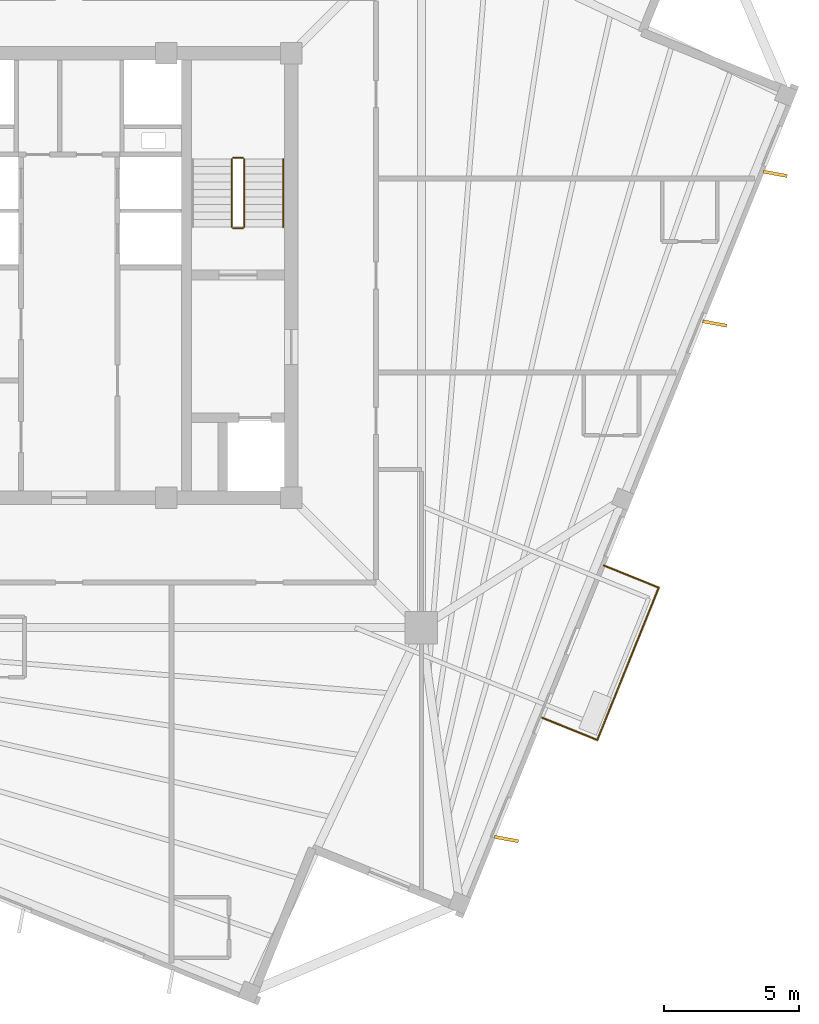
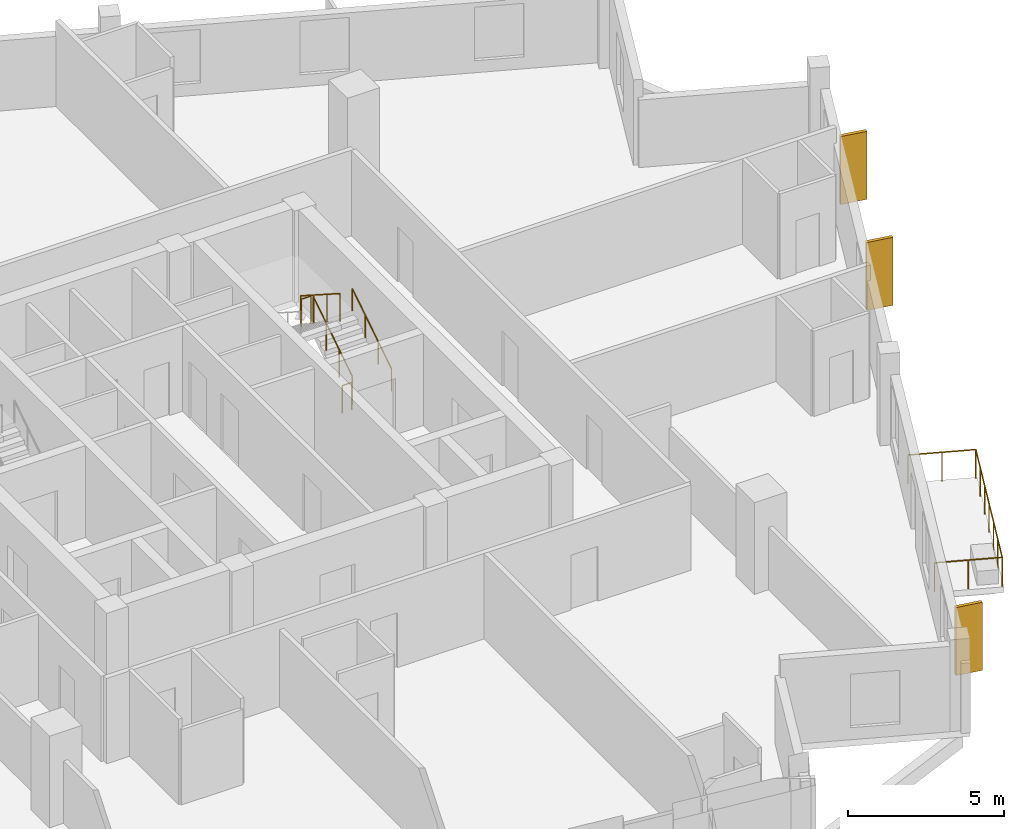
# One storey, part 8 of 9: 8 railings, 3 coverings.
"""IFC4 building model written with IfcOpenShell, lengths in metres."""

from ifc_helpers import new_model, si_unit, direction, frame, origin, origin_2d, place, context, subcontext, project, spatial, rectangle, circle, extrude, source, transform, mapped, material, layer, layer_set, type_object, element, save


model = new_model("IFC4")

# Units and contexts
model_context = context("Model", 3, precision=1e-05, world=origin(), true_north=direction((0.0, 1.0)))
body_context = subcontext(model_context, "Body", "Model", "MODEL_VIEW")
ifc_project = project(units=[si_unit("LENGTHUNIT", "METRE"), si_unit("AREAUNIT", "SQUARE_METRE"), si_unit("VOLUMEUNIT", "CUBIC_METRE"), si_unit("PLANEANGLEUNIT", "RADIAN"), si_unit("MASSUNIT", "GRAM", prefix="KILO"), si_unit("THERMODYNAMICTEMPERATUREUNIT", "KELVIN")], contexts=[model_context])

# Site, building, storey
site_placement = place(None, origin())
site = spatial("IfcSite", under=ifc_project, at=site_placement, CompositionType="ELEMENT")
building_placement = place(site_placement, origin())
building = spatial("IfcBuilding", under=site, at=building_placement, Name="Kosmvard Interchange Tower", CompositionType="ELEMENT")
storey_placement = place(building_placement, frame((0.0, 0.0, 272.39990234375)))
storey = spatial("IfcBuildingStorey", under=building, at=storey_placement, Name="L66", CompositionType="ELEMENT", Elevation=272.39990234375)

# Railing
ifc_material_1 = material(Name="Steel S355", Category="steel")
railing_type_1 = type_object("IfcRailingType", Name="Observation & Balcony Glass-Infill Balustrade 1150", PredefinedType="BALUSTRADE", material=ifc_material_1)
shared_shape_1 = source(origin(), body_context, "Body", "SweptSolid", [
    extrude(circle(Radius=0.02392578125, at=origin_2d()), frame((0.0, 0.0, 1.1259765625), z_axis=(0.927208487558, -0.374545618852, 0.0), x_axis=(0.374545618852, 0.927208487558, 0.0)), (0.0, 0.0, 1.0), 2.199951171875),
    extrude(circle(Radius=0.02099609375, at=origin_2d()), origin(), (0.0, 0.0, 1.0), 1.101806640625),
    extrude(circle(Radius=0.02099609375, at=origin_2d()), frame((1.02001953125, -0.412109375, 0.0)), (0.0, 0.0, 1.0), 1.101806640625),
    extrude(circle(Radius=0.02099609375, at=origin_2d()), frame((2.039794921875, -0.823974609375, 0.0)), (0.0, 0.0, 1.0), 1.101806640625),
])
railing_1_placement = place(storey_placement, frame((17.574951171875, -16.43017578125, 0.0)))
element("IfcRailing", 1, at=railing_1_placement, inside=storey, type_object=railing_type_1, Name="L66 Outdoor Terrace Guard BAL-L66-S-A", PredefinedType="BALUSTRADE", context=body_context, shape_type="MappedRepresentation", body=[
    mapped(shared_shape_1, transform((0.0, 0.0, 0.0), scale=1.0)),
])

# Coverings
ifc_material_2 = material(Name="Architectural anodised aluminium", Category="aluminium")
ifc_layer = layer(ifc_material_2, 0.1201171875, Name="Architectural anodised aluminium")
ifc_layer_set = layer_set([ifc_layer], Name="Architectural anodised aluminium")
covering_type = type_object("IfcCoveringType", Name="Rotating Vertical Sun-Breaker Fin 900x120 Aluminium", PredefinedType="CLADDING", material=ifc_layer_set)
shared_shape_2 = source(origin(), body_context, "Body", "SweptSolid", [
    extrude(rectangle(XDim=0.89990234375, YDim=0.1201171875, at=origin_2d()), origin(), (0.0, 0.0, 1.0), 2.669921875),
])
for number, where, z_axis, x_axis, name in (
    (2, (16.2412109375, -20.932373046875, 0.0400390625), (0.0, 0.0, 1.0), (0.983223086489, -0.182407133071, 0.0), "L66 Rotating Vertical Sun-Breaker Fin 01"),
    (3, (23.977783203125, -1.783935546875, 0.0400390625), (0.0, 0.0, 1.0), (0.983223086489, -0.182407133071, 0.0), "L66 Rotating Vertical Sun-Breaker Fin 02"),
    (4, (26.223876953125, 3.775390625, 0.0400390625), (0.0, 0.0, 1.0), (0.983223086489, -0.182407133071, 0.0), "L66 Rotating Vertical Sun-Breaker Fin 03"),
):
    element("IfcCovering", number, at=place(storey_placement, frame(where, z_axis=z_axis, x_axis=x_axis)), inside=storey, type_object=covering_type, Name=name, PredefinedType="CLADDING", context=body_context, shape_type="MappedRepresentation", body=[
        mapped(shared_shape_2, transform((0.0, 0.0, 0.0), scale=1.0)),
    ])

# Railings
shared_shape_3 = source(origin(), body_context, "Body", "SweptSolid", [
    extrude(circle(Radius=0.02392578125, at=origin_2d()), frame((0.0, 0.0, 1.1259765625), z_axis=(0.374617894384, 0.927179288599, 0.0), x_axis=(-0.927179288599, 0.374617894384, 0.0)), (0.0, 0.0, 1.0), 6.099853515625),
    extrude(circle(Radius=0.02099609375, at=origin_2d()), origin(), (0.0, 0.0, 1.0), 1.101806640625),
    extrude(circle(Radius=0.02099609375, at=origin_2d()), frame((0.380859375, 0.942626953125, 0.0)), (0.0, 0.0, 1.0), 1.101806640625),
    extrude(circle(Radius=0.02099609375, at=origin_2d()), frame((0.76171875, 1.88525390625, 0.0)), (0.0, 0.0, 1.0), 1.101806640625),
    extrude(circle(Radius=0.02099609375, at=origin_2d()), frame((1.142578125, 2.827880859375, 0.0)), (0.0, 0.0, 1.0), 1.101806640625),
    extrude(circle(Radius=0.02099609375, at=origin_2d()), frame((1.5234375, 3.7705078125, 0.0)), (0.0, 0.0, 1.0), 1.101806640625),
    extrude(circle(Radius=0.02099609375, at=origin_2d()), frame((1.904296875, 4.713134765625, 0.0)), (0.0, 0.0, 1.0), 1.101806640625),
    extrude(circle(Radius=0.02099609375, at=origin_2d()), frame((2.28515625, 5.65576171875, 0.0)), (0.0, 0.0, 1.0), 1.101806640625),
])
railing_2_placement = place(storey_placement, frame((19.61474609375, -17.254150390625, 0.0)))
element("IfcRailing", 5, at=railing_2_placement, inside=storey, type_object=railing_type_1, Name="L66 Outdoor Terrace Guard BAL-L66-S-B", PredefinedType="BALUSTRADE", context=body_context, shape_type="MappedRepresentation", body=[
    mapped(shared_shape_3, transform((0.0, 0.0, 0.0), scale=1.0)),
])
shared_shape_4 = source(origin(), body_context, "Body", "SweptSolid", [
    extrude(circle(Radius=0.02392578125, at=origin_2d()), frame((0.0, 0.0, 1.1259765625), z_axis=(-0.927169944131, 0.374641021112, 0.0), x_axis=(-0.374641021112, -0.927169944131, 0.0)), (0.0, 0.0, 1.0), 2.199951171875),
    extrude(circle(Radius=0.02099609375, at=origin_2d()), origin(), (0.0, 0.0, 1.0), 1.101806640625),
    extrude(circle(Radius=0.02099609375, at=origin_2d()), frame((-1.02001953125, 0.412109375, 0.0)), (0.0, 0.0, 1.0), 1.101806640625),
    extrude(circle(Radius=0.02099609375, at=origin_2d()), frame((-2.039794921875, 0.82421875, 0.0)), (0.0, 0.0, 1.0), 1.101806640625),
])
railing_3_placement = place(storey_placement, frame((21.89990234375, -11.598388671875, 0.0)))
element("IfcRailing", 6, at=railing_3_placement, inside=storey, type_object=railing_type_1, Name="L66 Outdoor Terrace Guard BAL-L66-S-C", PredefinedType="BALUSTRADE", context=body_context, shape_type="MappedRepresentation", body=[
    mapped(shared_shape_4, transform((0.0, 0.0, 0.0), scale=1.0)),
])
railing_type_2 = type_object("IfcRailingType", Name="Stair & Terrace Safety Guardrail 1100 Steel", PredefinedType="GUARDRAIL", material=ifc_material_1)
shared_shape_5 = source(origin(), body_context, "Body", "SweptSolid", [
    extrude(circle(Radius=0.02392578125, at=origin_2d()), frame((0.0, 0.0, 1.076171875), z_axis=(-1.0, 0.0, 0.0), x_axis=(0.0, -1.0, 0.0)), (0.0, 0.0, 1.0), 0.35986328125),
    extrude(circle(Radius=0.02099609375, at=origin_2d()), origin(), (0.0, 0.0, 1.0), 1.052001953125),
    extrude(circle(Radius=0.02099609375, at=origin_2d()), frame((-0.35986328125, 0.0, 0.0)), (0.0, 0.0, 1.0), 1.052001953125),
])
for number, where, name in (
    (7, (6.449951171875, 4.3701171875, 1.800048828125), "L66 ST-2 stair guard 2"),
    (8, (6.449951171875, 1.75, 0.0), "L66 ST-2 stair guard 4"),
):
    element("IfcRailing", number, at=place(storey_placement, frame(where)), inside=storey, type_object=railing_type_2, Name=name, PredefinedType="GUARDRAIL", context=body_context, shape_type="MappedRepresentation", body=[
        mapped(shared_shape_5, transform((0.0, 0.0, 0.0), scale=1.0)),
    ])
shared_shape_6 = source(origin(), body_context, "Body", "SweptSolid", [
    extrude(circle(Radius=0.02392578125, at=origin_2d()), frame((0.0, 0.0, 1.076171875), z_axis=(0.0, -0.841162588446, 0.540782303519), x_axis=(1.0, 0.0, 0.0)), (0.0, 0.0, 1.0), 2.995849609375),
    extrude(circle(Radius=0.02099609375, at=origin_2d()), origin(), (0.0, 0.0, 1.0), 1.052001953125),
    extrude(circle(Radius=0.02099609375, at=origin_2d()), frame((0.0, -0.840087890625, 0.5400390625)), (0.0, 0.0, 1.0), 1.052001953125),
    extrude(circle(Radius=0.02099609375, at=origin_2d()), frame((0.0, -1.679931640625, 1.080078125)), (0.0, 0.0, 1.0), 1.052001953125),
    extrude(circle(Radius=0.02099609375, at=origin_2d()), frame((0.0, -2.52001953125, 1.6201171875)), (0.0, 0.0, 1.0), 1.052001953125),
])
railing_4_placement = place(storey_placement, frame((6.0400390625, 4.320068359375, 1.97998046875)))
element("IfcRailing", 9, at=railing_4_placement, inside=storey, type_object=railing_type_2, Name="L66 ST-2 stair guard 3", PredefinedType="GUARDRAIL", context=body_context, shape_type="MappedRepresentation", body=[
    mapped(shared_shape_6, transform((0.0, 0.0, 0.0), scale=1.0)),
])
shared_shape_7 = source(origin(), body_context, "Body", "SweptSolid", [
    extrude(circle(Radius=0.02392578125, at=origin_2d()), frame((0.0, 0.0, 1.076171875), z_axis=(0.0, 0.841199657755, 0.540724639528), x_axis=(-1.0, 0.0, 0.0)), (0.0, 0.0, 1.0), 2.995849609375),
    extrude(circle(Radius=0.02099609375, at=origin_2d()), origin(), (0.0, 0.0, 1.0), 1.052001953125),
    extrude(circle(Radius=0.02099609375, at=origin_2d()), frame((0.0, 0.840087890625, 0.5400390625)), (0.0, 0.0, 1.0), 1.052001953125),
    extrude(circle(Radius=0.02099609375, at=origin_2d()), frame((0.0, 1.679931640625, 1.079833984375)), (0.0, 0.0, 1.0), 1.052001953125),
    extrude(circle(Radius=0.02099609375, at=origin_2d()), frame((0.0, 2.52001953125, 1.619873046875)), (0.0, 0.0, 1.0), 1.052001953125),
])
railing_5_placement = place(storey_placement, frame((6.5, 1.800048828125, 0.18017578125)))
element("IfcRailing", 10, at=railing_5_placement, inside=storey, type_object=railing_type_2, Name="L66 ST-2 stair guard 1", PredefinedType="GUARDRAIL", context=body_context, shape_type="MappedRepresentation", body=[
    mapped(shared_shape_7, transform((0.0, 0.0, 0.0), scale=1.0)),
])
railing_type_3 = type_object("IfcRailingType", Name="Wall-Mounted Stair Handrail 900 Steel", PredefinedType="HANDRAIL", material=ifc_material_1)
shared_shape_8 = source(origin(), body_context, "Body", "SweptSolid", [
    extrude(circle(Radius=0.02392578125, at=origin_2d()), frame((0.0, 0.0, 0.8759765625), z_axis=(0.0, 0.841199657755, 0.540724639528), x_axis=(-1.0, 0.0, 0.0)), (0.0, 0.0, 1.0), 2.995849609375),
    extrude(circle(Radius=0.02099609375, at=origin_2d()), origin(), (0.0, 0.0, 1.0), 0.851806640625),
    extrude(circle(Radius=0.02099609375, at=origin_2d()), frame((0.0, 0.840087890625, 0.5400390625)), (0.0, 0.0, 1.0), 0.851806640625),
    extrude(circle(Radius=0.02099609375, at=origin_2d()), frame((0.0, 1.679931640625, 1.079833984375)), (0.0, 0.0, 1.0), 0.851806640625),
    extrude(circle(Radius=0.02099609375, at=origin_2d()), frame((0.0, 2.52001953125, 1.619873046875)), (0.0, 0.0, 1.0), 0.851806640625),
])
railing_6_placement = place(storey_placement, frame((7.949951171875, 1.800048828125, 0.18017578125)))
element("IfcRailing", 11, at=railing_6_placement, inside=storey, type_object=railing_type_3, Name="L66 ST-2 stair handrail 1", PredefinedType="HANDRAIL", context=body_context, shape_type="MappedRepresentation", body=[
    mapped(shared_shape_8, transform((0.0, 0.0, 0.0), scale=1.0)),
])

save(model, "model.ifc")
